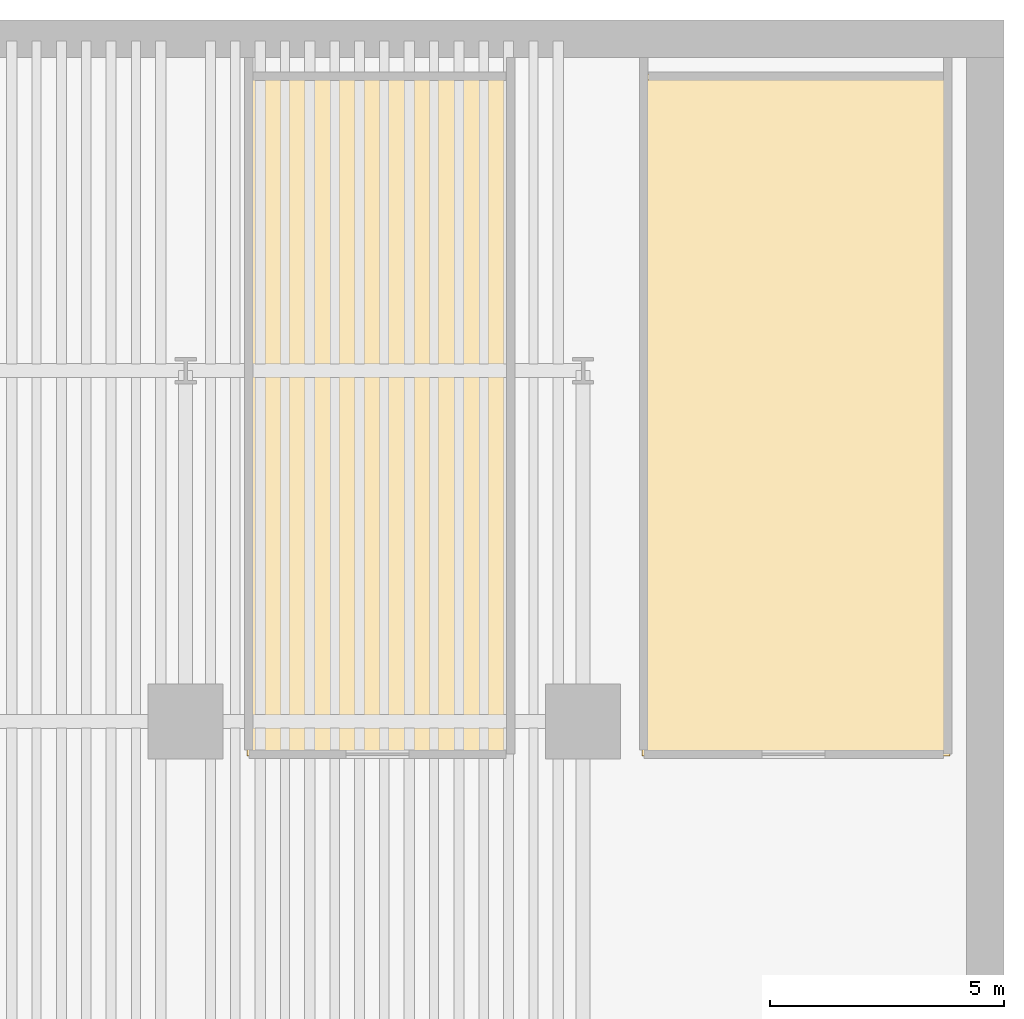
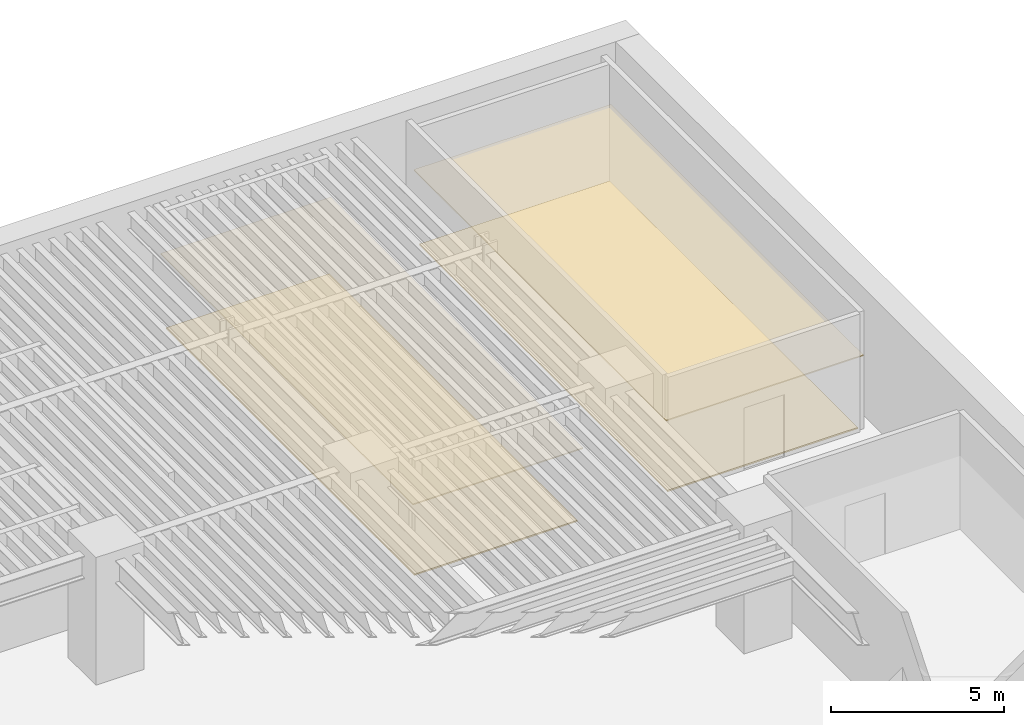
# One storey, part 9 of 10: 4 coverings.
"""IFC4 building model written with IfcOpenShell, lengths in metres."""

from ifc_helpers import new_model, si_unit, direction, frame, origin, place, context, subcontext, project, spatial, polyline, outline, extrude, material, layer, layer_set, type_object, element, save


model = new_model("IFC4")

# Units and contexts
model_context = context("Model", 3, precision=1e-05, world=origin(), true_north=direction((0.0, 1.0)))
body_context = subcontext(model_context, "Body", "Model", "MODEL_VIEW")
ifc_project = project(units=[si_unit("LENGTHUNIT", "METRE"), si_unit("AREAUNIT", "SQUARE_METRE"), si_unit("VOLUMEUNIT", "CUBIC_METRE"), si_unit("PLANEANGLEUNIT", "RADIAN"), si_unit("MASSUNIT", "GRAM", prefix="KILO")], contexts=[model_context])

# Site, building, storey
site_placement = place(None, origin())
site = spatial("IfcSite", under=ifc_project, at=site_placement, CompositionType="ELEMENT")
building_placement = place(site_placement, origin())
building = spatial("IfcBuilding", under=site, at=building_placement, Name="Caeloran Harvest Quay", CompositionType="ELEMENT")
storey_placement = place(building_placement, frame((0.0, 0.0, -4.5)))
storey = spatial("IfcBuildingStorey", under=building, at=storey_placement, Name="B01", CompositionType="ELEMENT", Elevation=-4.5)

# Coverings
ifc_material_1 = material(Name="Perforated Mineral-Fibre Acoustic Ceiling Tile", Category="ceiling")
ifc_layer_1 = layer(ifc_material_1, 0.0400390625, Name="Perforated Mineral-Fibre Acoustic Ceiling Tile")
ifc_layer_set_1 = layer_set([ifc_layer_1], Name="Perforated Mineral-Fibre Acoustic Ceiling Tile")
covering_type_1 = type_object("IfcCoveringType", Name="COV-CEILING-ACOUSTIC", PredefinedType="CEILING", material=ifc_layer_set_1)
covering_1_placement = place(storey_placement, frame((0.0, 0.0, 2.60009765625)))
element("IfcCovering", 1, at=covering_1_placement, inside=storey, type_object=covering_type_1, Name="EV Fast-Charging Switchgear Room Acoustic Ceiling", PredefinedType="CEILING", context=body_context, shape_type="SweptSolid", body=[
    extrude(outline(polyline([(58.840087890625, 44.840087890625), (58.840087890625, 30.260009765625), (52.260009765625, 30.260009765625), (52.260009765625, 44.840087890625), (58.840087890625, 44.840087890625)])), origin(), (0.0, 0.0, 1.0), 0.039794921875),
])
covering_2_placement = place(storey_placement, frame((0.0, 0.0, 2.60009765625)))
element("IfcCovering", 2, at=covering_2_placement, inside=storey, type_object=covering_type_1, Name="Bicycle Parking and Shower Changing Room Acoustic Ceiling", PredefinedType="CEILING", context=body_context, shape_type="SweptSolid", body=[
    extrude(outline(polyline([(49.489990234375, 44.840087890625), (49.489990234375, 30.260009765625), (43.81005859375, 30.260009765625), (43.81005859375, 44.840087890625), (49.489990234375, 44.840087890625)])), origin(), (0.0, 0.0, 1.0), 0.039794921875),
])
ifc_material_2 = material(Name="Calcium-Sulphate Raised Access Floor and Terrazzo Finish", Category="flooring")
ifc_layer_2 = layer(ifc_material_2, 0.050048828125, Name="Calcium-Sulphate Raised Access Floor and Terrazzo Finish")
ifc_layer_set_2 = layer_set([ifc_layer_2], Name="Calcium-Sulphate Raised Access Floor and Terrazzo Finish")
covering_type_2 = type_object("IfcCoveringType", Name="COV-FLOOR-RAISED", PredefinedType="FLOORING", material=ifc_layer_set_2)
covering_3_placement = place(storey_placement, origin())
element("IfcCovering", 3, at=covering_3_placement, inside=storey, type_object=covering_type_2, Name="EV Fast-Charging Switchgear Room Raised Finish Flooring", PredefinedType="FLOORING", context=body_context, shape_type="SweptSolid", body=[
    extrude(outline(polyline([(58.719970703125, 44.719970703125), (58.719970703125, 30.3798828125), (52.3798828125, 30.3798828125), (52.3798828125, 44.719970703125), (58.719970703125, 44.719970703125)])), origin(), (0.0, 0.0, 1.0), 0.050048828125),
])
covering_4_placement = place(storey_placement, origin())
element("IfcCovering", 4, at=covering_4_placement, inside=storey, type_object=covering_type_2, Name="Bicycle Parking and Shower Changing Room Raised Finish Flooring", PredefinedType="FLOORING", context=body_context, shape_type="SweptSolid", body=[
    extrude(outline(polyline([(49.3701171875, 44.719970703125), (49.3701171875, 30.3798828125), (43.929931640625, 30.3798828125), (43.929931640625, 44.719970703125), (49.3701171875, 44.719970703125)])), origin(), (0.0, 0.0, 1.0), 0.050048828125),
])

save(model, "model.ifc")
